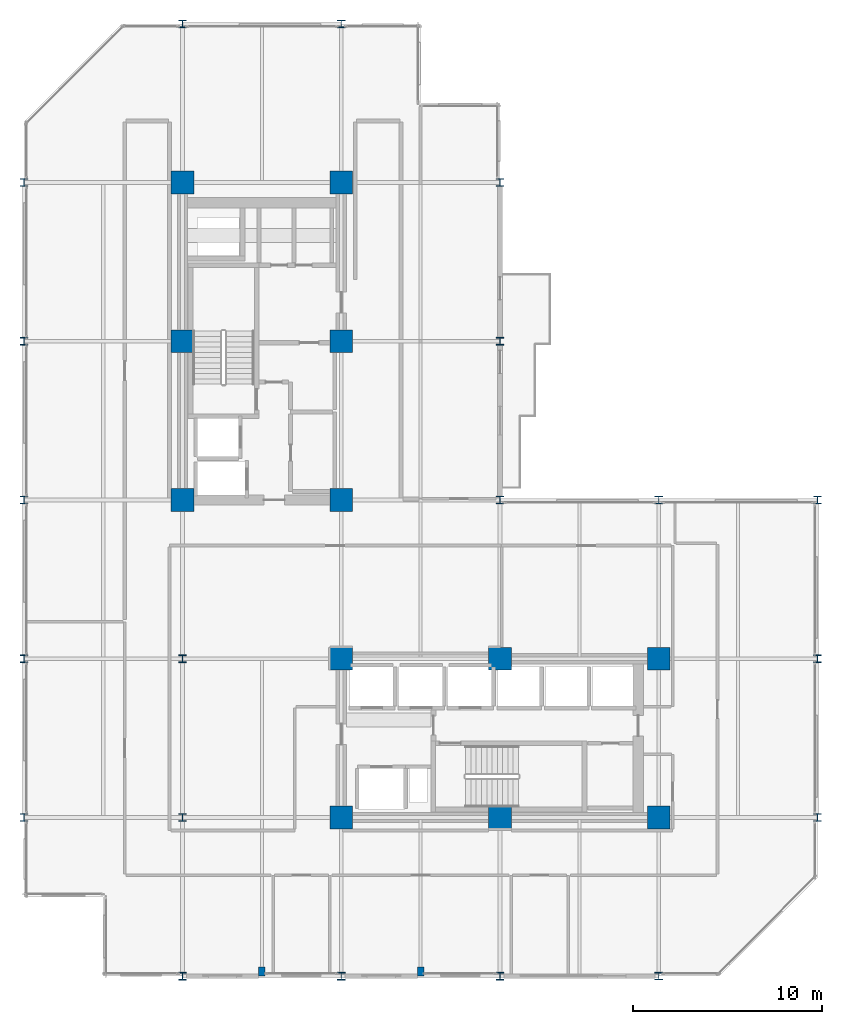
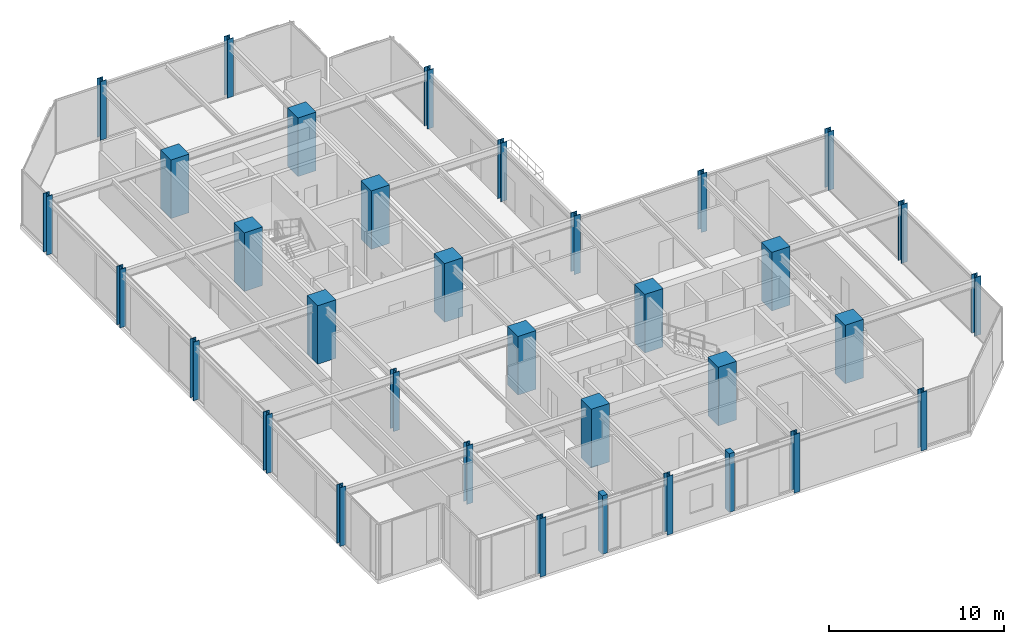
# One storey, part 1 of 29: 34 columns.
"""IFC4 building model written with IfcOpenShell, lengths in metres."""

from ifc_helpers import new_model, si_unit, direction, frame, origin, origin_2d, place, context, subcontext, project, spatial, rectangle, i_section, extrude, material, material_profile, profile_set, type_object, element, save


model = new_model("IFC4")

# Units and contexts
model_context = context("Model", 3, precision=1e-05, world=origin(), true_north=direction((0.0, 1.0)))
body_context = subcontext(model_context, "Body", "Model", "MODEL_VIEW")
ifc_project = project(units=[si_unit("LENGTHUNIT", "METRE"), si_unit("AREAUNIT", "SQUARE_METRE"), si_unit("VOLUMEUNIT", "CUBIC_METRE"), si_unit("PLANEANGLEUNIT", "RADIAN"), si_unit("MASSUNIT", "GRAM", prefix="KILO")], contexts=[model_context])

# Site, building, storey
site_placement = place(None, origin())
site = spatial("IfcSite", under=ifc_project, at=site_placement, CompositionType="ELEMENT")
building_placement = place(site_placement, origin())
building = spatial("IfcBuilding", under=site, at=building_placement, Name="Nerrivon Quay Data Exchange", CompositionType="ELEMENT")
storey_placement = place(building_placement, frame((0.0, 0.0, 121.300048828125)))
storey = spatial("IfcBuildingStorey", under=building, at=storey_placement, Name="L28", CompositionType="ELEMENT", Elevation=121.300048828125)

# Columns
ifc_material_1 = material(Name="Concrete S65 (65 MPa)", Category="concrete")
ifc_material_profile_1 = material_profile(ifc_material_1, rectangle(XDim=1.199951171875, YDim=1.199951171875, at=origin_2d()), Name="RC-COL-1200x1200")
ifc_profile_set_1 = profile_set([ifc_material_profile_1], Name="Concrete S65 (65 MPa)")
column_type_1 = type_object("IfcColumnType", Name="COL-C3-1200", PredefinedType="COLUMN", material=ifc_profile_set_1)
for number, where, z_axis, x_axis, name in (
    (1, (8.39990234375, 25.199951171875, 0.0), (0.0, 0.0, 1.0), (1.0, 0.0, 0.0), "L28 Column (8.4,25.2)"),
    (2, (8.39990234375, 33.60009765625, 0.0), (0.0, 0.0, 1.0), (1.0, 0.0, 0.0), "L28 Column (8.4,33.6)"),
    (3, (8.39990234375, 42.0, 0.0), (0.0, 0.0, 1.0), (1.0, 0.0, 0.0), "L28 Column (8.4,42.0)"),
    (4, (16.800048828125, 8.39990234375, 0.0), (0.0, 0.0, 1.0), (1.0, 0.0, 0.0), "L28 Column (16.8,8.4)"),
    (5, (16.800048828125, 16.800048828125, 0.0), (0.0, 0.0, 1.0), (1.0, 0.0, 0.0), "L28 Column (16.8,16.8)"),
    (6, (16.800048828125, 25.199951171875, 0.0), (0.0, 0.0, 1.0), (1.0, 0.0, 0.0), "L28 Column (16.8,25.2)"),
    (7, (16.800048828125, 33.60009765625, 0.0), (0.0, 0.0, 1.0), (1.0, 0.0, 0.0), "L28 Column (16.8,33.6)"),
    (8, (16.800048828125, 42.0, 0.0), (0.0, 0.0, 1.0), (1.0, 0.0, 0.0), "L28 Column (16.8,42.0)"),
    (9, (25.199951171875, 8.39990234375, 0.0), (0.0, 0.0, 1.0), (1.0, 0.0, 0.0), "L28 Column (25.2,8.4)"),
    (10, (25.199951171875, 16.800048828125, 0.0), (0.0, 0.0, 1.0), (1.0, 0.0, 0.0), "L28 Column (25.2,16.8)"),
    (11, (33.60009765625, 8.39990234375, 0.0), (0.0, 0.0, 1.0), (1.0, 0.0, 0.0), "L28 Column (33.6,8.4)"),
    (12, (33.60009765625, 16.800048828125, 0.0), (0.0, 0.0, 1.0), (1.0, 0.0, 0.0), "L28 Column (33.6,16.8)"),
):
    element("IfcColumn", number, at=place(storey_placement, frame(where, z_axis=z_axis, x_axis=x_axis)), inside=storey, type_object=column_type_1, Name=name, PredefinedType="COLUMN", context=body_context, shape_type="SweptSolid", body=[
        extrude(rectangle(XDim=1.199951171875, YDim=1.199951171875, at=origin_2d()), origin(), (0.0, 0.0, 1.0), 4.099853515625),
    ])
ifc_material_2 = material(Name="Steel Grade 350", Category="steel")
ifc_material_profile_2 = material_profile(ifc_material_2, i_section(OverallWidth=0.39990234375, OverallDepth=0.39990234375, WebThickness=0.02490234375, FlangeThickness=0.0400390625, at=origin_2d()), Name="400WC328")
ifc_profile_set_2 = profile_set([ifc_material_profile_2], Name="Steel Grade 350")
column_type_2 = type_object("IfcColumnType", Name="COL-SC2-400WC", PredefinedType="COLUMN", material=ifc_profile_set_2)
for number, where, z_axis, x_axis, name in (
    (13, (0.0, 8.39990234375, 0.0), (0.0, 0.0, 1.0), (1.0, 0.0, 0.0), "L28 Column (0.0,8.4)"),
    (14, (0.0, 16.800048828125, 0.0), (0.0, 0.0, 1.0), (1.0, 0.0, 0.0), "L28 Column (0.0,16.8)"),
    (15, (0.0, 25.199951171875, 0.0), (0.0, 0.0, 1.0), (1.0, 0.0, 0.0), "L28 Column (0.0,25.2)"),
    (16, (0.0, 33.60009765625, 0.0), (0.0, 0.0, 1.0), (1.0, 0.0, 0.0), "L28 Column (0.0,33.6)"),
    (17, (0.0, 42.0, 0.0), (0.0, 0.0, 1.0), (1.0, 0.0, 0.0), "L28 Column (0.0,42.0)"),
    (18, (8.39990234375, 0.0, 0.0), (0.0, 0.0, 1.0), (1.0, 0.0, 0.0), "L28 Column (8.4,0.0)"),
    (19, (8.39990234375, 8.39990234375, 0.0), (0.0, 0.0, 1.0), (1.0, 0.0, 0.0), "L28 Column (8.4,8.4)"),
    (20, (8.39990234375, 16.800048828125, 0.0), (0.0, 0.0, 1.0), (1.0, 0.0, 0.0), "L28 Column (8.4,16.8)"),
    (21, (8.39990234375, 50.39990234375, 0.0), (0.0, 0.0, 1.0), (1.0, 0.0, 0.0), "L28 Column (8.4,50.4)"),
    (22, (16.800048828125, 0.0, 0.0), (0.0, 0.0, 1.0), (1.0, 0.0, 0.0), "L28 Column (16.8,0.0)"),
    (23, (16.800048828125, 50.39990234375, 0.0), (0.0, 0.0, 1.0), (1.0, 0.0, 0.0), "L28 Column (16.8,50.4)"),
    (24, (25.199951171875, 0.0, 0.0), (0.0, 0.0, 1.0), (1.0, 0.0, 0.0), "L28 Column (25.2,0.0)"),
    (25, (25.199951171875, 25.199951171875, 0.0), (0.0, 0.0, 1.0), (1.0, 0.0, 0.0), "L28 Column (25.2,25.2)"),
    (26, (25.199951171875, 33.60009765625, 0.0), (0.0, 0.0, 1.0), (1.0, 0.0, 0.0), "L28 Column (25.2,33.6)"),
    (27, (25.199951171875, 42.0, 0.0), (0.0, 0.0, 1.0), (1.0, 0.0, 0.0), "L28 Column (25.2,42.0)"),
    (28, (33.60009765625, 0.0, 0.0), (0.0, 0.0, 1.0), (1.0, 0.0, 0.0), "L28 Column (33.6,0.0)"),
    (29, (33.60009765625, 25.199951171875, 0.0), (0.0, 0.0, 1.0), (1.0, 0.0, 0.0), "L28 Column (33.6,25.2)"),
    (30, (42.0, 8.39990234375, 0.0), (0.0, 0.0, 1.0), (1.0, 0.0, 0.0), "L28 Column (42.0,8.4)"),
    (31, (42.0, 16.800048828125, 0.0), (0.0, 0.0, 1.0), (1.0, 0.0, 0.0), "L28 Column (42.0,16.8)"),
    (32, (42.0, 25.199951171875, 0.0), (0.0, 0.0, 1.0), (1.0, 0.0, 0.0), "L28 Column (42.0,25.2)"),
):
    element("IfcColumn", number, at=place(storey_placement, frame(where, z_axis=z_axis, x_axis=x_axis)), inside=storey, type_object=column_type_2, Name=name, PredefinedType="COLUMN", context=body_context, shape_type="SweptSolid", body=[
        extrude(i_section(OverallWidth=0.39990234375, OverallDepth=0.39990234375, WebThickness=0.02490234375, FlangeThickness=0.0400390625, at=origin_2d()), origin(), (0.0, 0.0, 1.0), 4.099853515625),
    ])
ifc_material_3 = material(Name="Concrete N50 (50 MPa)", Category="concrete")
ifc_material_profile_3 = material_profile(ifc_material_3, rectangle(XDim=0.35009765625, YDim=0.5, at=origin_2d()), Name="RC-PIL-500x350")
ifc_profile_set_3 = profile_set([ifc_material_profile_3], Name="Concrete N50 (50 MPa)")
column_type_3 = type_object("IfcColumnType", Name="PIL-P2-500x350", PredefinedType="PILASTER", material=ifc_profile_set_3)
for number, where, z_axis, x_axis, name in (
    (33, (12.60009765625, 0.25, 0.0), (0.0, 0.0, 1.0), (1.0, 0.0, 0.0), "L28 Facade Pilaster (12.6)"),
    (34, (21.0, 0.25, 0.0), (0.0, 0.0, 1.0), (1.0, 0.0, 0.0), "L28 Facade Pilaster (21.0)"),
):
    element("IfcColumn", number, at=place(storey_placement, frame(where, z_axis=z_axis, x_axis=x_axis)), inside=storey, type_object=column_type_3, Name=name, PredefinedType="PILASTER", context=body_context, shape_type="SweptSolid", body=[
        extrude(rectangle(XDim=0.35009765625, YDim=0.5, at=origin_2d()), origin(), (0.0, 0.0, 1.0), 4.099853515625),
    ])

save(model, "model.ifc")
